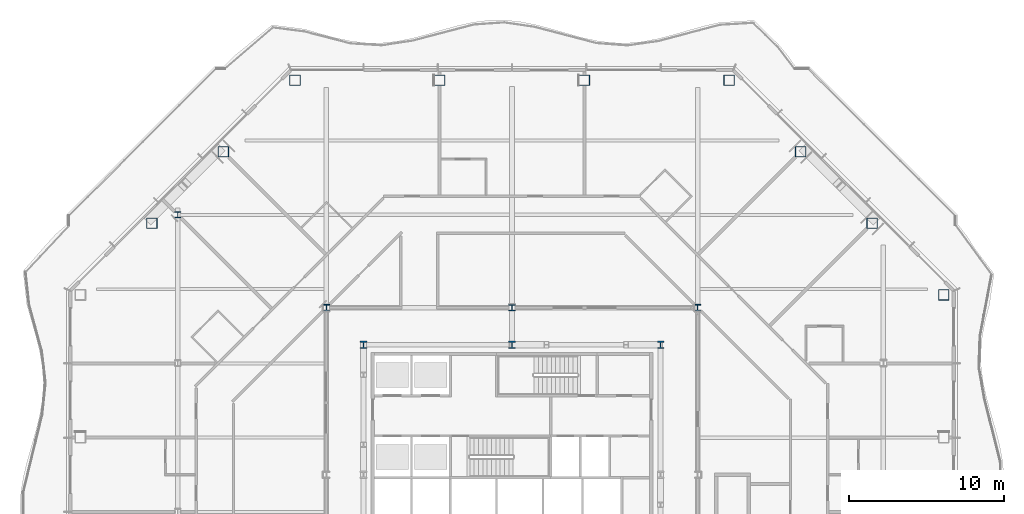
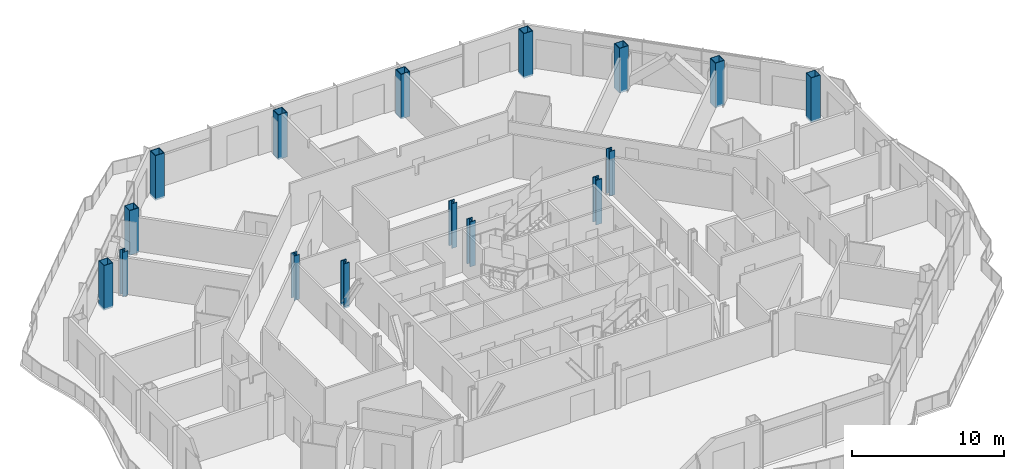
# One storey, part 2 of 24: 16 columns.
"""IFC4 building model written with IfcOpenShell, lengths in metres."""

import ifcopenshell
import ifcopenshell.guid

model = None  # the IFC model being written
_history = None  # IfcOwnerHistory: only IFC2X3 demands one
_inside = {}  # id of a spatial element -> (the spatial element, [elements in it])
_under = {}  # id of a project, library or spatial element -> (it, [spatial elements below it])
_declared = {}  # id of a project -> (the project, [libraries it declares])
_typed = {}  # id of a type object -> (the type object, [elements of that type])
_made_of = {}  # id of a material, layer set ... -> (it, [elements and type objects made of it])


def new_model(schema):
    """Start an empty IFC model of exactly this schema.

    Asked for "IFC4X3", IfcOpenShell would pick the latest addendum, in which some entities
    have other attributes; the version numbers below select the first issue.
    IFC2X3 requires an IfcOwnerHistory on every rooted entity: one is made here for all.
    """
    global model, _history
    if schema == "IFC4X3":
        model = ifcopenshell.file(schema_version=(4, 3, 0, 0))
    else:
        model = ifcopenshell.file(schema=schema)
    _inside.clear()
    _under.clear()
    _declared.clear()
    _typed.clear()
    _made_of.clear()
    _history = None
    if model.schema == "IFC2X3":
        org = make("IfcOrganization", Name="unknown")
        user = make(
            "IfcPersonAndOrganization",
            ThePerson=make("IfcPerson", FamilyName="unknown"),
            TheOrganization=org,
        )
        app = make(
            "IfcApplication",
            ApplicationDeveloper=org,
            Version="unknown",
            ApplicationFullName="unknown",
            ApplicationIdentifier="unknown",
        )
        _history = make(
            "IfcOwnerHistory",
            OwningUser=user,
            OwningApplication=app,
            ChangeAction="ADDED",
            CreationDate=0,
        )
    return model


def make(cls, **values):
    """One entity of the class cls with the attributes given. An attribute that is None is left unset."""
    return model.create_entity(
        cls, **{name: value for name, value in values.items() if value is not None}
    )


def rooted(cls, **values):
    """An entity with a GlobalId (a new one), such as an element, a storey or a relation."""
    return make(cls, GlobalId=ifcopenshell.guid.new(), OwnerHistory=_history, **values)


def si_unit(unit_type, name, prefix=None):
    """IfcSIUnit, for example si_unit("LENGTHUNIT", "METRE", prefix="MILLI")."""
    return make("IfcSIUnit", UnitType=unit_type, Prefix=prefix, Name=name)


def assignment(units):
    """IfcUnitAssignment: the units of a project."""
    return None if units is None else make("IfcUnitAssignment", Units=units)


def point(xyz):
    """IfcCartesianPoint."""
    return None if xyz is None else make("IfcCartesianPoint", Coordinates=xyz)


def direction(xyz):
    """IfcDirection."""
    return None if xyz is None else make("IfcDirection", DirectionRatios=xyz)


def frame(location, z_axis=None, x_axis=None):
    """IfcAxis2Placement3D, a coordinate frame: its origin and axes. An axis left out is left unset."""
    return make(
        "IfcAxis2Placement3D",
        Location=point(location),
        Axis=direction(z_axis),
        RefDirection=direction(x_axis),
    )


def frame_2d(location, x_axis=None):
    """IfcAxis2Placement2D, a coordinate frame in the plane: its origin and x axis."""
    return make(
        "IfcAxis2Placement2D", Location=point(location), RefDirection=direction(x_axis)
    )


def origin():
    """The frame at (0, 0, 0) with its axes left unset."""
    return frame((0.0, 0.0, 0.0))


def origin_2d():
    """The frame at (0, 0) in the plane with its x axis left unset."""
    return frame_2d((0.0, 0.0))


def place(relative_to, where):
    """IfcLocalPlacement: puts the frame where relative to a parent placement (None: the world)."""
    return make(
        "IfcLocalPlacement", PlacementRelTo=relative_to, RelativePlacement=where
    )


def context(
    kind, dimensions, precision=None, world=None, true_north=None, identifier=None
):
    """IfcGeometricRepresentationContext, for example the 3D "Model" context."""
    return make(
        "IfcGeometricRepresentationContext",
        ContextIdentifier=identifier,
        ContextType=kind,
        CoordinateSpaceDimension=dimensions,
        Precision=precision,
        WorldCoordinateSystem=world,
        TrueNorth=true_north,
    )


def subcontext(parent, identifier, kind, view, scale=None):
    """IfcGeometricRepresentationSubContext, for example "Body" below "Model"."""
    return make(
        "IfcGeometricRepresentationSubContext",
        ContextIdentifier=identifier,
        ContextType=kind,
        ParentContext=parent,
        TargetScale=scale,
        TargetView=view,
    )


def project(units=None, contexts=None):
    """IfcProject with its units and contexts."""
    return rooted(
        "IfcProject",
        Name="project",
        RepresentationContexts=contexts,
        UnitsInContext=assignment(units),
    )


def spatial(cls, under=None, at=None, **own):
    """A site, building, storey or space (cls), placed at a placement, below another one or the project."""
    s = rooted(cls, ObjectPlacement=at, **own)
    if under is not None:
        _under.setdefault(under.id(), (under, []))[1].append(s)
    return s


def profile(cls, at=None, kind="AREA", **sizes):
    """A parametric profile (cls). Its sizes go by their IFC names, for example OverallWidth=200.0."""
    return make(cls, ProfileType=kind, Position=at, **sizes)


def hollow_rectangle(**sizes):
    """IfcRectangleHollowProfileDef."""
    return profile("IfcRectangleHollowProfileDef", **sizes)


def i_section(**sizes):
    """IfcIShapeProfileDef."""
    return profile("IfcIShapeProfileDef", **sizes)


def extrude(swept, where, along, depth):
    """IfcExtrudedAreaSolid: the profile swept, set in the frame where, extruded along a direction by depth."""
    return make(
        "IfcExtrudedAreaSolid",
        SweptArea=swept,
        Position=where,
        ExtrudedDirection=direction(along),
        Depth=depth,
    )


def shape(context_of_items, identifier, shape_type, items):
    """IfcShapeRepresentation: the items that make up one representation, for example the "Body"."""
    return make(
        "IfcShapeRepresentation",
        ContextOfItems=context_of_items,
        RepresentationIdentifier=identifier,
        RepresentationType=shape_type,
        Items=items,
    )


def material(Name=None, Category=None):
    """IfcMaterial."""
    return make("IfcMaterial", Name=Name, Category=Category)


def material_profile(
    of_material, cross_section, Name=None, Category=None, Priority=None
):
    """IfcMaterialProfile: a cross section and its material."""
    return make(
        "IfcMaterialProfile",
        Name=Name,
        Material=of_material,
        Profile=cross_section,
        Priority=Priority,
        Category=Category,
    )


def profile_set(profiles, Name=None, composite=None):
    """IfcMaterialProfileSet."""
    return make(
        "IfcMaterialProfileSet",
        Name=Name,
        MaterialProfiles=profiles,
        CompositeProfile=composite,
    )


def made_of(thing, what):
    """Note that an element or type object is made of a material, layer set ...; save() writes the relation."""
    if what is not None:
        _made_of.setdefault(what.id(), (what, []))[1].append(thing)
    return thing


def type_object(cls, material=None, **own):
    """A type object (cls), such as IfcWallType, which elements share."""
    return made_of(rooted(cls, **own), material)


def element(
    cls,
    number,
    at=None,
    inside=None,
    cuts=None,
    type_object=None,
    material=None,
    context=None,
    identifier="Body",
    shape_type=None,
    held_by="IfcProductDefinitionShape",
    body=None,
    shapes=None,
    **own,
):
    """One element of the class cls, such as IfcWall. Its Tag is "e" and its number.

    at: its placement. inside: the storey or other place that contains it. cuts: it is an
    opening in that element (IfcRelVoidsElement). A single representation is given by context,
    identifier, shape_type and body (its items); several are given by shapes. held_by: the class
    of the entity that holds the representations. save() writes the other relations.
    """
    e = rooted(cls, Tag="e%d" % number, ObjectPlacement=at, **own)
    if body is not None:
        shapes = [shape(context, identifier, shape_type, body)]
    if shapes is not None:
        e.Representation = make(held_by, Representations=shapes)
    if inside is not None:
        _inside.setdefault(inside.id(), (inside, []))[1].append(e)
    if cuts is not None:
        rooted(
            "IfcRelVoidsElement", RelatingBuildingElement=cuts, RelatedOpeningElement=e
        )
    if type_object is not None:
        _typed.setdefault(type_object.id(), (type_object, []))[1].append(e)
    return made_of(e, material)


def aggregate(whole, parts):
    """IfcRelAggregates: a whole, such as a stair, and the parts it consists of."""
    return rooted("IfcRelAggregates", RelatingObject=whole, RelatedObjects=parts)


def save(model, path):
    """Write the relations noted so far, then the file.

    IfcRelAggregates (storeys below a building ...), IfcRelContainedInSpatialStructure (elements
    in a storey), IfcRelDefinesByType, IfcRelAssociatesMaterial and IfcRelDeclares: one each for
    every whole, place, type object, material and project.
    """
    for whole, parts in _under.values():
        aggregate(whole, parts)
    for where, things in _inside.values():
        rooted(
            "IfcRelContainedInSpatialStructure",
            RelatedElements=things,
            RelatingStructure=where,
        )
    for kind, things in _typed.values():
        rooted("IfcRelDefinesByType", RelatedObjects=things, RelatingType=kind)
    for what, things in _made_of.values():
        rooted("IfcRelAssociatesMaterial", RelatedObjects=things, RelatingMaterial=what)
    for by, libraries in _declared.values():
        rooted("IfcRelDeclares", RelatingContext=by, RelatedDefinitions=libraries)
    model.write(path)


model = new_model("IFC4")

# Units and contexts
model_context = context("Model", 3, precision=1e-05, world=origin(), true_north=direction((0.0, 1.0)))
body_context = subcontext(model_context, "Body", "Model", "MODEL_VIEW")
ifc_project = project(units=[si_unit("LENGTHUNIT", "METRE"), si_unit("AREAUNIT", "SQUARE_METRE"), si_unit("VOLUMEUNIT", "CUBIC_METRE"), si_unit("PLANEANGLEUNIT", "RADIAN"), si_unit("MASSUNIT", "GRAM", prefix="KILO")], contexts=[model_context])

# Site, building, storey
site_placement = place(None, origin())
site = spatial("IfcSite", under=ifc_project, at=site_placement, CompositionType="ELEMENT")
building_placement = place(site_placement, origin())
building = spatial("IfcBuilding", under=site, at=building_placement, Name="Cairn Pilgrim Tower", CompositionType="ELEMENT")
storey_placement = place(building_placement, frame((0.0, 0.0, 125.39990234375)))
storey = spatial("IfcBuildingStorey", under=building, at=storey_placement, Name="L30", CompositionType="ELEMENT", Elevation=125.39990234375)

# Columns
ifc_material_1 = material(Name="Structural steel S460M", Category="steel")
ifc_material_profile_1 = material_profile(ifc_material_1, hollow_rectangle(XDim=0.699951171875, YDim=0.699951171875, WallThickness=0.0400390625, at=origin_2d()), Name="BOX 700x700x40")
ifc_profile_set_1 = profile_set([ifc_material_profile_1], Name="Structural steel S460M")
column_type_1 = type_object("IfcColumnType", Name="BOX 700x700x40", PredefinedType="COLUMN", material=ifc_profile_set_1)
for number, where, z_axis, x_axis, name in (
    (1, (35.10009765625, 14.027099609375, -0.14990234375), (0.0, 0.0, 1.0), (1.0, 0.0, 0.0), "PC2-NE1"),
    (2, (30.4755859375, 18.651611328125, -0.14990234375), (0.0, 0.0, 1.0), (1.0, 0.0, 0.0), "PC2-NE2"),
    (3, (25.8515625, 23.275634765625, -0.14990234375), (0.0, 0.0, 1.0), (1.0, 0.0, 0.0), "PC2-NE3"),
    (4, (21.227294921875, 27.89990234375, -0.14990234375), (0.0, 0.0, 1.0), (1.0, 0.0, 0.0), "PC2-N1"),
    (5, (11.875732421875, 27.89990234375, -0.14990234375), (0.0, 0.0, 1.0), (1.0, 0.0, 0.0), "PC2-N2"),
    (6, (2.5244140625, 27.89990234375, -0.14990234375), (0.0, 0.0, 1.0), (1.0, 0.0, 0.0), "PC2-N3"),
    (7, (-6.8271484375, 27.89990234375, -0.14990234375), (0.0, 0.0, 1.0), (1.0, 0.0, 0.0), "PC2-NW1"),
    (8, (-11.451416015625, 23.275634765625, -0.14990234375), (0.0, 0.0, 1.0), (1.0, 0.0, 0.0), "PC2-NW2"),
    (9, (-16.07568359375, 18.651611328125, -0.14990234375), (0.0, 0.0, 1.0), (1.0, 0.0, 0.0), "PC2-NW3"),
):
    element("IfcColumn", number, at=place(storey_placement, frame(where, z_axis=z_axis, x_axis=x_axis)), inside=storey, type_object=column_type_1, Name=name, PredefinedType="COLUMN", context=body_context, shape_type="SweptSolid", body=[
        extrude(hollow_rectangle(XDim=0.699951171875, YDim=0.699951171875, WallThickness=0.0400390625, at=origin_2d()), origin(), (0.0, 0.0, 1.0), 3.60009765625),
    ])
ifc_material_2 = material(Name="Structural steel S355J2", Category="steel")
ifc_material_profile_2 = material_profile(ifc_material_2, i_section(OverallWidth=0.39892578125, OverallDepth=0.39306640625, WebThickness=0.022705078125, FlangeThickness=0.03662109375, FilletRadius=0.014892578125, at=origin_2d()), Name="HD 400x287")
ifc_profile_set_2 = profile_set([ifc_material_profile_2], Name="Structural steel S355J2")
column_type_2 = type_object("IfcColumnType", Name="HD 400x287", PredefinedType="COLUMN", material=ifc_profile_set_2)
column_placement = place(storey_placement, frame((-14.39990234375, 19.199951171875, -0.14990234375), z_axis=(0.0, 0.0, 1.0), x_axis=(1.0, 0.0, 0.0)))
element("IfcColumn", 10, at=column_placement, inside=storey, type_object=column_type_2, Name="WC-WW+4", PredefinedType="COLUMN", context=body_context, shape_type="SweptSolid", body=[
    extrude(i_section(OverallWidth=0.39892578125, OverallDepth=0.39306640625, WebThickness=0.022705078125, FlangeThickness=0.03662109375, FilletRadius=0.014892578125, at=origin_2d()), origin(), (0.0, 0.0, 1.0), 3.60009765625),
])
ifc_material_profile_3 = material_profile(ifc_material_1, i_section(OverallWidth=0.408935546875, OverallDepth=0.425048828125, WebThickness=0.03271484375, FlangeThickness=0.052490234375, FilletRadius=0.014892578125, at=origin_2d()), Name="HD 400x421")
ifc_profile_set_3 = profile_set([ifc_material_profile_3], Name="Structural steel S460M")
column_type_3 = type_object("IfcColumnType", Name="HD 400x421", PredefinedType="COLUMN", material=ifc_profile_set_3)
for number, where, z_axis, x_axis, name in (
    (11, (-4.800048828125, 13.199951171875, -0.14990234375), (0.0, 0.0, 1.0), (1.0, 0.0, 0.0), "IC-6"),
    (12, (7.199951171875, 13.199951171875, -0.14990234375), (0.0, 0.0, 1.0), (1.0, 0.0, 0.0), "IC-7"),
    (13, (19.199951171875, 13.199951171875, -0.14990234375), (0.0, 0.0, 1.0), (1.0, 0.0, 0.0), "IC-8"),
):
    element("IfcColumn", number, at=place(storey_placement, frame(where, z_axis=z_axis, x_axis=x_axis)), inside=storey, type_object=column_type_3, Name=name, PredefinedType="COLUMN", context=body_context, shape_type="SweptSolid", body=[
        extrude(i_section(OverallWidth=0.408935546875, OverallDepth=0.425048828125, WebThickness=0.03271484375, FlangeThickness=0.052490234375, FilletRadius=0.014892578125, at=origin_2d()), origin(), (0.0, 0.0, 1.0), 3.60009765625),
    ])
ifc_material_profile_4 = material_profile(ifc_material_1, i_section(OverallWidth=0.424072265625, OverallDepth=0.47412109375, WebThickness=0.047607421875, FlangeThickness=0.0771484375, FilletRadius=0.014892578125, at=origin_2d()), Name="HD 400x634")
ifc_profile_set_4 = profile_set([ifc_material_profile_4], Name="Structural steel S460M")
column_type_4 = type_object("IfcColumnType", Name="HD 400x634", PredefinedType="COLUMN", material=ifc_profile_set_4)
for number, where, z_axis, x_axis, name in (
    (14, (-2.39990234375, 10.800048828125, -0.14990234375), (0.0, 0.0, 1.0), (1.0, 0.0, 0.0), "KC-6"),
    (15, (7.199951171875, 10.800048828125, -0.14990234375), (0.0, 0.0, 1.0), (1.0, 0.0, 0.0), "KC-7"),
    (16, (16.800048828125, 10.800048828125, -0.14990234375), (0.0, 0.0, 1.0), (1.0, 0.0, 0.0), "KC-8"),
):
    element("IfcColumn", number, at=place(storey_placement, frame(where, z_axis=z_axis, x_axis=x_axis)), inside=storey, type_object=column_type_4, Name=name, PredefinedType="COLUMN", context=body_context, shape_type="SweptSolid", body=[
        extrude(i_section(OverallWidth=0.424072265625, OverallDepth=0.47412109375, WebThickness=0.047607421875, FlangeThickness=0.0771484375, FilletRadius=0.014892578125, at=origin_2d()), origin(), (0.0, 0.0, 1.0), 3.60009765625),
    ])

save(model, "model.ifc")
